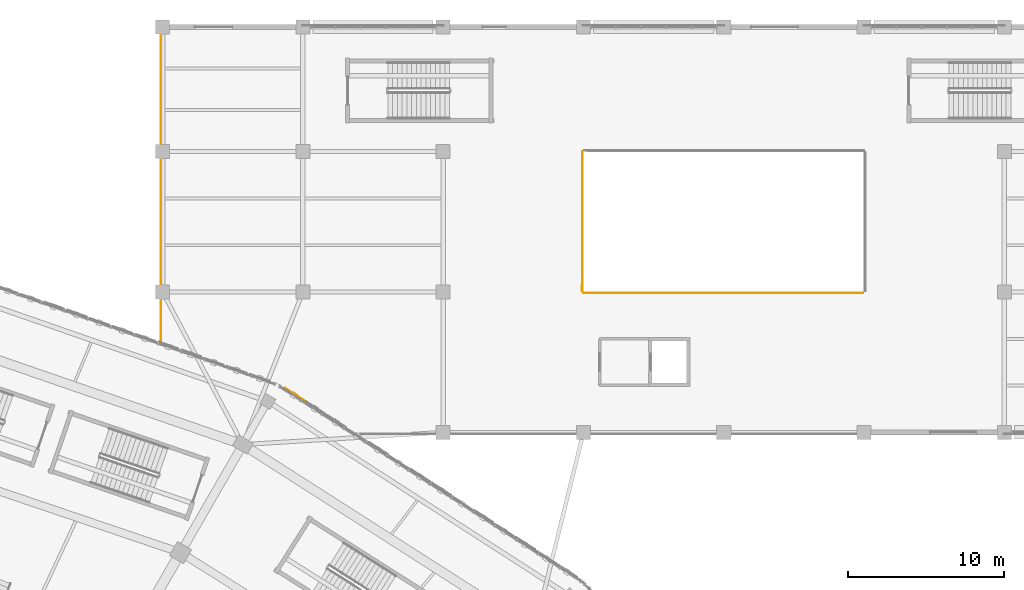
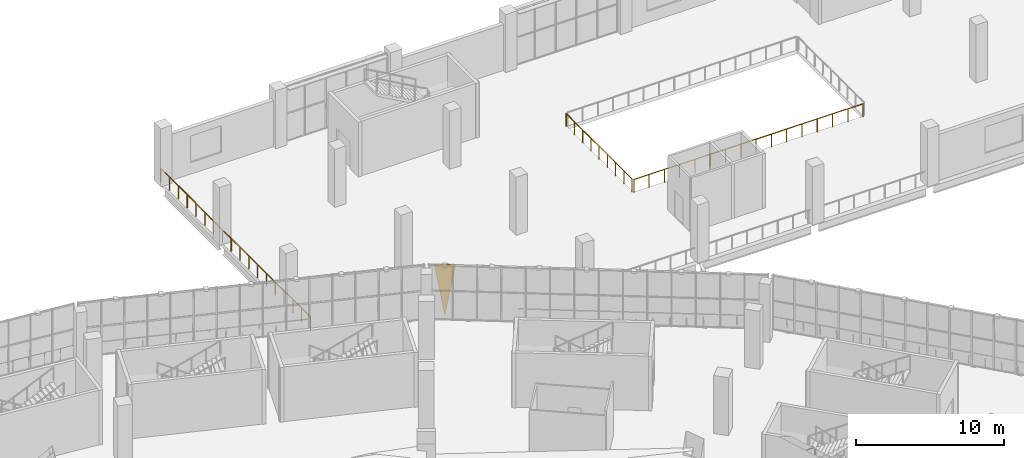
# One storey, part 179 of 183: 3 railings, 1 covering.
"""IFC4 building model written with IfcOpenShell, lengths in metres."""

from ifc_helpers import new_model, si_unit, direction, frame, origin, origin_2d, place, context, subcontext, project, spatial, polyline, circle, outline, extrude, material, layer, layer_set, type_object, element, save


model = new_model("IFC4")

# Units and contexts
model_context = context("Model", 3, precision=1e-05, world=origin(), true_north=direction((0.0, 1.0)))
body_context = subcontext(model_context, "Body", "Model", "MODEL_VIEW")
ifc_project = project(units=[si_unit("LENGTHUNIT", "METRE"), si_unit("AREAUNIT", "SQUARE_METRE"), si_unit("VOLUMEUNIT", "CUBIC_METRE"), si_unit("PLANEANGLEUNIT", "RADIAN"), si_unit("MASSUNIT", "GRAM", prefix="KILO")], contexts=[model_context])

# Site, building, storey
site_placement = place(None, origin())
site = spatial("IfcSite", under=ifc_project, at=site_placement, CompositionType="ELEMENT")
building_placement = place(site_placement, origin())
building = spatial("IfcBuilding", under=site, at=building_placement, Name="Zevraka Park Crest Stadium", CompositionType="ELEMENT")
storey_placement = place(building_placement, frame((0.0, 0.0, 5.39990234375)))
storey = spatial("IfcBuildingStorey", under=building, at=storey_placement, Name="L01", CompositionType="ELEMENT", Elevation=5.39990234375)

# Covering
ifc_material_1 = material(Name="Architectural golden-bronze perforated aluminium", Category="aluminium")
ifc_layer = layer(ifc_material_1, 0.034912109375)
ifc_layer_set = layer_set([ifc_layer], Name="Architectural golden-bronze perforated aluminium")
covering_type = type_object("IfcCoveringType", Name="CLD01", PredefinedType="CLADDING", material=ifc_layer_set)
covering_placement = place(storey_placement, frame((159.844970703125, 160.821044921875, 4.5), z_axis=(-0.54243850483, -0.840095510595, 3.9433372e-05), x_axis=(0.840095511248, -0.542438505252, 0.0)))
element("IfcCovering", 1, at=covering_placement, inside=storey, type_object=covering_type, Name="Triangular Golden-Bronze Perforated Cladding L01-03-14", PredefinedType="CLADDING", context=body_context, shape_type="SweptSolid", body=[
    extrude(outline(polyline([(0.0, 0.0), (1.4452063031746218, 0.0), (0.7225668165035711, -4.279785159577513), (0.0, 0.0)])), origin(), (0.0, 0.0, -1.0), 0.034912109375),
])

# Railings
ifc_material_2 = material(Name="Galvanised and bronze-finished steel balustrade", Category="steel")
railing_type = type_object("IfcRailingType", Name="GR01", PredefinedType="GUARDRAIL", material=ifc_material_2)
railing_1_placement = place(storey_placement, frame((151.89501953125, 163.8349609375, 0.0)))
element("IfcRailing", 2, at=railing_1_placement, inside=storey, type_object=railing_type, Name="Deck Edge Protection Guardrail GR01 L01-10", PredefinedType="GUARDRAIL", context=body_context, shape_type="SweptSolid", body=[
    extrude(circle(Radius=0.02392578125, at=origin_2d()), frame((0.0, 0.0, 1.076171875), z_axis=(0.0, 1.0, 0.0), x_axis=(-1.0, 0.0, 0.0)), (0.0, 0.0, 1.0), 20.27001953125),
    extrude(circle(Radius=0.02099609375, at=origin_2d()), origin(), (0.0, 0.0, 1.0), 1.052001953125),
    extrude(circle(Radius=0.02099609375, at=origin_2d()), frame((0.0, 1.1923828125, 0.0)), (0.0, 0.0, 1.0), 1.052001953125),
    extrude(circle(Radius=0.02099609375, at=origin_2d()), frame((0.0, 2.384765625, 0.0)), (0.0, 0.0, 1.0), 1.052001953125),
    extrude(circle(Radius=0.02099609375, at=origin_2d()), frame((0.0, 3.5771484375, 0.0)), (0.0, 0.0, 1.0), 1.052001953125),
    extrude(circle(Radius=0.02099609375, at=origin_2d()), frame((0.0, 4.76953125, 0.0)), (0.0, 0.0, 1.0), 1.052001953125),
    extrude(circle(Radius=0.02099609375, at=origin_2d()), frame((0.0, 5.961669921875, 0.0)), (0.0, 0.0, 1.0), 1.052001953125),
    extrude(circle(Radius=0.02099609375, at=origin_2d()), frame((0.0, 7.154052734375, 0.0)), (0.0, 0.0, 1.0), 1.052001953125),
    extrude(circle(Radius=0.02099609375, at=origin_2d()), frame((0.0, 8.346435546875, 0.0)), (0.0, 0.0, 1.0), 1.052001953125),
    extrude(circle(Radius=0.02099609375, at=origin_2d()), frame((0.0, 9.538818359375, 0.0)), (0.0, 0.0, 1.0), 1.052001953125),
    extrude(circle(Radius=0.02099609375, at=origin_2d()), frame((0.0, 10.731201171875, 0.0)), (0.0, 0.0, 1.0), 1.052001953125),
    extrude(circle(Radius=0.02099609375, at=origin_2d()), frame((0.0, 11.923583984375, 0.0)), (0.0, 0.0, 1.0), 1.052001953125),
    extrude(circle(Radius=0.02099609375, at=origin_2d()), frame((0.0, 13.115966796875, 0.0)), (0.0, 0.0, 1.0), 1.052001953125),
    extrude(circle(Radius=0.02099609375, at=origin_2d()), frame((0.0, 14.308349609375, 0.0)), (0.0, 0.0, 1.0), 1.052001953125),
    extrude(circle(Radius=0.02099609375, at=origin_2d()), frame((0.0, 15.50048828125, 0.0)), (0.0, 0.0, 1.0), 1.052001953125),
    extrude(circle(Radius=0.02099609375, at=origin_2d()), frame((0.0, 16.69287109375, 0.0)), (0.0, 0.0, 1.0), 1.052001953125),
    extrude(circle(Radius=0.02099609375, at=origin_2d()), frame((0.0, 17.88525390625, 0.0)), (0.0, 0.0, 1.0), 1.052001953125),
    extrude(circle(Radius=0.02099609375, at=origin_2d()), frame((0.0, 19.07763671875, 0.0)), (0.0, 0.0, 1.0), 1.052001953125),
    extrude(circle(Radius=0.02099609375, at=origin_2d()), frame((0.0, 20.27001953125, 0.0)), (0.0, 0.0, 1.0), 1.052001953125),
])
railing_2_placement = place(storey_placement, frame((178.944091796875, 175.998046875, 0.0)))
element("IfcRailing", 3, at=railing_2_placement, inside=storey, type_object=railing_type, Name="Deck Edge Protection Guardrail GR01 L01-57", PredefinedType="GUARDRAIL", context=body_context, shape_type="SweptSolid", body=[
    extrude(circle(Radius=0.02392578125, at=origin_2d()), frame((0.0, 0.0, 1.076171875), z_axis=(-0.001584264606, -0.999998745052, 0.0), x_axis=(0.999998745052, -0.001584264606, 0.0)), (0.0, 0.0, 1.0), 8.93798828125),
    extrude(circle(Radius=0.02099609375, at=origin_2d()), origin(), (0.0, 0.0, 1.0), 1.052001953125),
    extrude(circle(Radius=0.02099609375, at=origin_2d()), frame((-0.001708984375, -1.1171875, 0.0)), (0.0, 0.0, 1.0), 1.052001953125),
    extrude(circle(Radius=0.02099609375, at=origin_2d()), frame((-0.00341796875, -2.234375, 0.0)), (0.0, 0.0, 1.0), 1.052001953125),
    extrude(circle(Radius=0.02099609375, at=origin_2d()), frame((-0.00537109375, -3.351806640625, 0.0)), (0.0, 0.0, 1.0), 1.052001953125),
    extrude(circle(Radius=0.02099609375, at=origin_2d()), frame((-0.007080078125, -4.468994140625, 0.0)), (0.0, 0.0, 1.0), 1.052001953125),
    extrude(circle(Radius=0.02099609375, at=origin_2d()), frame((-0.0087890625, -5.586181640625, 0.0)), (0.0, 0.0, 1.0), 1.052001953125),
    extrude(circle(Radius=0.02099609375, at=origin_2d()), frame((-0.0107421875, -6.70361328125, 0.0)), (0.0, 0.0, 1.0), 1.052001953125),
    extrude(circle(Radius=0.02099609375, at=origin_2d()), frame((-0.012451171875, -7.82080078125, 0.0)), (0.0, 0.0, 1.0), 1.052001953125),
    extrude(circle(Radius=0.02099609375, at=origin_2d()), frame((-0.01416015625, -8.93798828125, 0.0)), (0.0, 0.0, 1.0), 1.052001953125),
])
railing_3_placement = place(storey_placement, frame((179.001953125, 166.944091796875, 0.0)))
element("IfcRailing", 4, at=railing_3_placement, inside=storey, type_object=railing_type, Name="Deck Edge Protection Guardrail GR01 L01-58", PredefinedType="GUARDRAIL", context=body_context, shape_type="SweptSolid", body=[
    extrude(circle(Radius=0.02392578125, at=origin_2d()), frame((0.0, 0.0, 1.076171875), z_axis=(0.999999688428, -0.000789394642, 0.0), x_axis=(0.000789394642, 0.999999688428, 0.0)), (0.0, 0.0, 1.0), 17.93798828125),
    extrude(circle(Radius=0.02099609375, at=origin_2d()), origin(), (0.0, 0.0, 1.0), 1.052001953125),
    extrude(circle(Radius=0.02099609375, at=origin_2d()), frame((1.19580078125, -0.0009765625, 0.0)), (0.0, 0.0, 1.0), 1.052001953125),
    extrude(circle(Radius=0.02099609375, at=origin_2d()), frame((2.391845703125, -0.001953125, 0.0)), (0.0, 0.0, 1.0), 1.052001953125),
    extrude(circle(Radius=0.02099609375, at=origin_2d()), frame((3.587646484375, -0.0029296875, 0.0)), (0.0, 0.0, 1.0), 1.052001953125),
    extrude(circle(Radius=0.02099609375, at=origin_2d()), frame((4.783447265625, -0.003662109375, 0.0)), (0.0, 0.0, 1.0), 1.052001953125),
    extrude(circle(Radius=0.02099609375, at=origin_2d()), frame((5.979248046875, -0.004638671875, 0.0)), (0.0, 0.0, 1.0), 1.052001953125),
    extrude(circle(Radius=0.02099609375, at=origin_2d()), frame((7.17529296875, -0.005615234375, 0.0)), (0.0, 0.0, 1.0), 1.052001953125),
    extrude(circle(Radius=0.02099609375, at=origin_2d()), frame((8.37109375, -0.006591796875, 0.0)), (0.0, 0.0, 1.0), 1.052001953125),
    extrude(circle(Radius=0.02099609375, at=origin_2d()), frame((9.56689453125, -0.007568359375, 0.0)), (0.0, 0.0, 1.0), 1.052001953125),
    extrude(circle(Radius=0.02099609375, at=origin_2d()), frame((10.7626953125, -0.008544921875, 0.0)), (0.0, 0.0, 1.0), 1.052001953125),
    extrude(circle(Radius=0.02099609375, at=origin_2d()), frame((11.958740234375, -0.009521484375, 0.0)), (0.0, 0.0, 1.0), 1.052001953125),
    extrude(circle(Radius=0.02099609375, at=origin_2d()), frame((13.154541015625, -0.010498046875, 0.0)), (0.0, 0.0, 1.0), 1.052001953125),
    extrude(circle(Radius=0.02099609375, at=origin_2d()), frame((14.350341796875, -0.01123046875, 0.0)), (0.0, 0.0, 1.0), 1.052001953125),
    extrude(circle(Radius=0.02099609375, at=origin_2d()), frame((15.546142578125, -0.01220703125, 0.0)), (0.0, 0.0, 1.0), 1.052001953125),
    extrude(circle(Radius=0.02099609375, at=origin_2d()), frame((16.7421875, -0.01318359375, 0.0)), (0.0, 0.0, 1.0), 1.052001953125),
    extrude(circle(Radius=0.02099609375, at=origin_2d()), frame((17.93798828125, -0.01416015625, 0.0)), (0.0, 0.0, 1.0), 1.052001953125),
])

save(model, "model.ifc")
